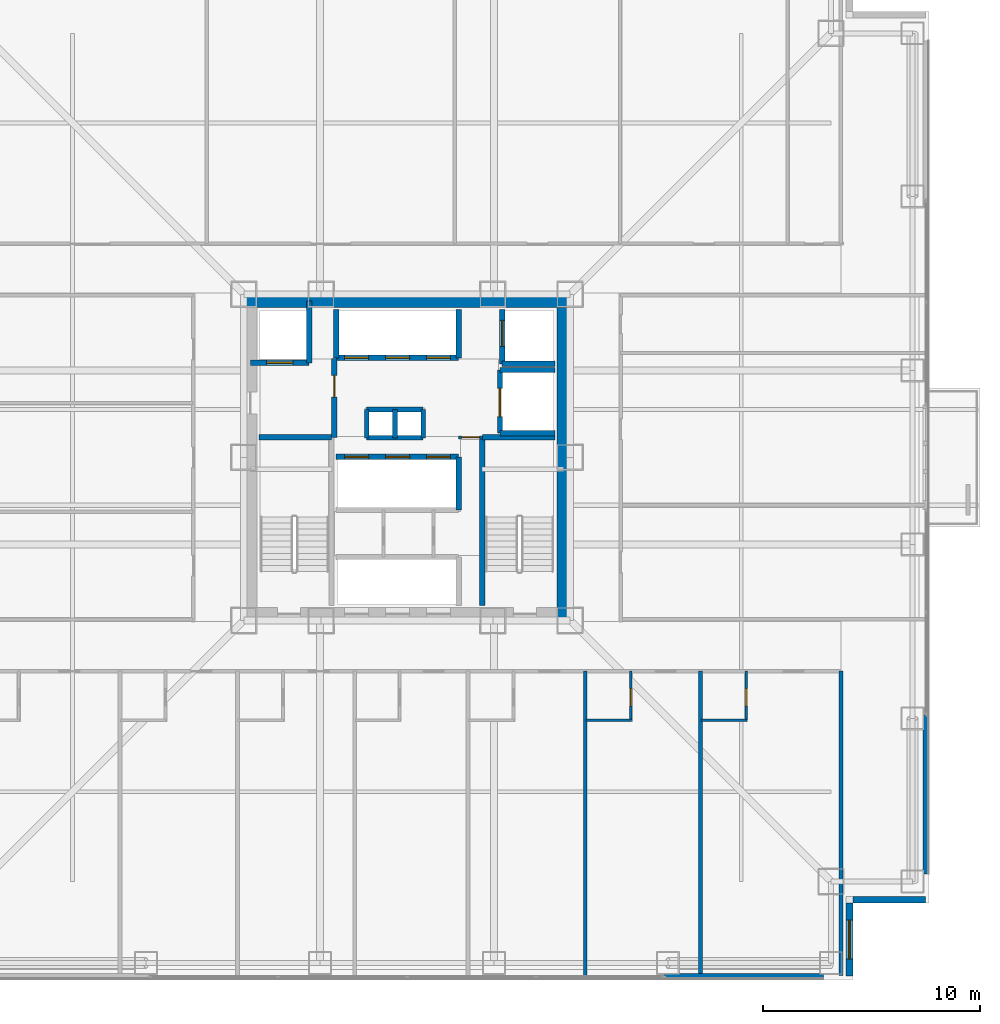
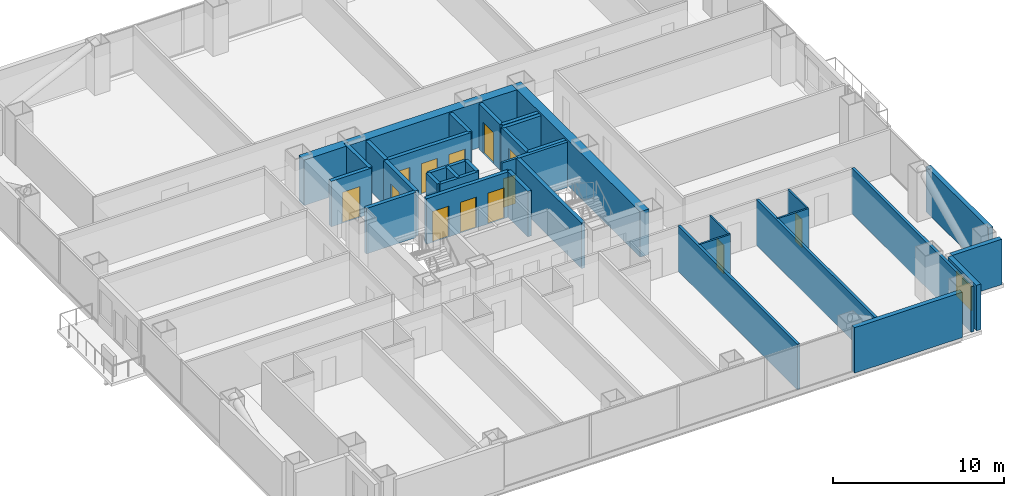
# One storey, part 16 of 20: 35 walls, 13 doors, 1 window, 14 openings.
"""IFC4 building model written with IfcOpenShell, lengths in metres."""

from ifc_helpers import new_model, si_unit, direction, frame, frame_2d, origin, place, context, subcontext, project, spatial, rectangle, extrude, material, layer, layer_set, type_object, element, fill, save


model = new_model("IFC4")

# Units and contexts
model_context = context("Model", 3, precision=1e-05, world=origin(), true_north=direction((0.0, 1.0)))
body_context = subcontext(model_context, "Body", "Model", "MODEL_VIEW")
ifc_project = project(units=[si_unit("LENGTHUNIT", "METRE"), si_unit("AREAUNIT", "SQUARE_METRE"), si_unit("VOLUMEUNIT", "CUBIC_METRE"), si_unit("PLANEANGLEUNIT", "RADIAN"), si_unit("MASSUNIT", "GRAM", prefix="KILO")], contexts=[model_context])

# Site, building, storey
site_placement = place(None, origin())
site = spatial("IfcSite", under=ifc_project, at=site_placement, CompositionType="ELEMENT")
building_placement = place(site_placement, origin())
building = spatial("IfcBuilding", under=site, at=building_placement, Name="Trevonay Congress Spire", CompositionType="ELEMENT")
storey_placement = place(building_placement, frame((0.0, 0.0, 76.0)))
storey = spatial("IfcBuildingStorey", under=building, at=storey_placement, Name="L19", CompositionType="ELEMENT", Elevation=76.0)

# Wall, opening, door
ifc_material_1 = material(Name="Concrete C40/50", Category="concrete")
ifc_layer_1 = layer(ifc_material_1, 0.1201171875, Name="Concrete C40/50")
ifc_layer_set_1 = layer_set([ifc_layer_1], Name="Concrete C40/50")
wall_type_1 = type_object("IfcWallType", Name="WAL-BATH-120", PredefinedType="PLUMBINGWALL", material=ifc_layer_set_1)
wall_1_placement = place(storey_placement, frame((10.300048828125, -12.080078125, 0.0), z_axis=(0.0, 0.0, 1.0), x_axis=(0.0, 1.0, 0.0)))
wall_1 = element("IfcWall", 1, at=wall_1_placement, inside=storey, type_object=wall_type_1, Name="L19 interior wall WH-L19S-BS6", PredefinedType="PLUMBINGWALL", context=body_context, shape_type="SweptSolid", body=[
    extrude(rectangle(XDim=2.25, YDim=0.1201171875, at=frame_2d((1.125, 0.0))), origin(), (0.0, 0.0, 1.0), 3.25),
])
opening_1_placement = place(wall_1_placement, frame((0.64990234375, 0.0, 0.0)))
opening_1 = element("IfcOpeningElement", 2, at=opening_1_placement, cuts=wall_1, Name="Opening D11", PredefinedType="OPENING", context=body_context, shape_type="SweptSolid", body=[
    extrude(rectangle(XDim=0.800048828125, YDim=2.050048828125, at=frame_2d((0.39990234375, 1.02490234375))), frame((0.0, 0.070068359375, 0.0), z_axis=(0.0, -1.0, 0.0), x_axis=(1.0, 0.0, 0.0)), (0.0, 0.0, 1.0), 0.14013671875),
])
ifc_material_2 = material(Name="Pale Anodised Aluminium EN AW-6063-T6", Category="aluminium")
door_type_1 = type_object("IfcDoorType", Name="DOR-BATH-80", OperationType="NOTDEFINED", PredefinedType="DOOR", material=ifc_material_2)
door_1_placement = place(opening_1_placement, origin())
door_1 = element("IfcDoor", 3, at=door_1_placement, inside=storey, type_object=door_type_1, Name="L19 En-suite Bathroom Door", OperationType="SINGLE_SWING_RIGHT", OverallHeight=2.050048828125, OverallWidth=0.800048828125, PredefinedType="DOOR", context=body_context, shape_type="SweptSolid", body=[
    extrude(rectangle(XDim=0.800048828125, YDim=2.050048828125, at=frame_2d((0.39990234375, 1.02490234375))), frame((0.0, 0.02490234375, 0.0), z_axis=(0.0, -1.0, 0.0), x_axis=(1.0, 0.0, 0.0)), (0.0, 0.0, 1.0), 0.050048828125),
])
fill(opening_1, door_1)

# Wall
wall_2_placement = place(storey_placement, frame((8.22998046875, -12.080078125, 0.0), z_axis=(0.0, 0.0, 1.0), x_axis=(1.0, 0.0, 0.0)))
element("IfcWall", 4, at=wall_2_placement, inside=storey, type_object=wall_type_1, Name="L19 interior wall WH-L19S-BF6", PredefinedType="PLUMBINGWALL", context=body_context, shape_type="SweptSolid", body=[
    extrude(rectangle(XDim=2.10009765625, YDim=0.1201171875, at=frame_2d((1.050048828125, 0.0))), origin(), (0.0, 0.0, 1.0), 3.25),
])

# Wall, opening, door
wall_3_placement = place(storey_placement, frame((15.60009765625, -12.080078125, 0.0), z_axis=(0.0, 0.0, 1.0), x_axis=(0.0, 1.0, 0.0)))
wall_3 = element("IfcWall", 5, at=wall_3_placement, inside=storey, type_object=wall_type_1, Name="L19 interior wall WH-L19S-BS7", PredefinedType="PLUMBINGWALL", context=body_context, shape_type="SweptSolid", body=[
    extrude(rectangle(XDim=2.25, YDim=0.1201171875, at=frame_2d((1.125, 0.0))), origin(), (0.0, 0.0, 1.0), 3.25),
])
opening_2_placement = place(wall_3_placement, frame((0.64990234375, 0.0, 0.0)))
opening_2 = element("IfcOpeningElement", 6, at=opening_2_placement, cuts=wall_3, Name="Opening D11", PredefinedType="OPENING", context=body_context, shape_type="SweptSolid", body=[
    extrude(rectangle(XDim=0.800048828125, YDim=2.050048828125, at=frame_2d((0.39990234375, 1.02490234375))), frame((0.0, 0.070068359375, 0.0), z_axis=(0.0, -1.0, 0.0), x_axis=(1.0, 0.0, 0.0)), (0.0, 0.0, 1.0), 0.14013671875),
])
door_2_placement = place(opening_2_placement, origin())
door_2 = element("IfcDoor", 7, at=door_2_placement, inside=storey, type_object=door_type_1, Name="L19 En-suite Bathroom Door", OperationType="SINGLE_SWING_LEFT", OverallHeight=2.050048828125, OverallWidth=0.800048828125, PredefinedType="DOOR", context=body_context, shape_type="SweptSolid", body=[
    extrude(rectangle(XDim=0.800048828125, YDim=2.050048828125, at=frame_2d((0.39990234375, 1.02490234375))), frame((0.0, 0.02490234375, 0.0), z_axis=(0.0, -1.0, 0.0), x_axis=(1.0, 0.0, 0.0)), (0.0, 0.0, 1.0), 0.050048828125),
])
fill(opening_2, door_2)

# Walls
wall_4_placement = place(storey_placement, frame((13.530029296875, -12.080078125, 0.0), z_axis=(0.0, 0.0, 1.0), x_axis=(1.0, 0.0, 0.0)))
element("IfcWall", 8, at=wall_4_placement, inside=storey, type_object=wall_type_1, Name="L19 interior wall WH-L19S-BF7", PredefinedType="PLUMBINGWALL", context=body_context, shape_type="SweptSolid", body=[
    extrude(rectangle(XDim=2.099853515625, YDim=0.1201171875, at=frame_2d((1.0498046875, 0.0))), origin(), (0.0, 0.0, 1.0), 3.25),
])
ifc_material_3 = material(Name="Concrete C60/75", Category="concrete")
ifc_layer_2 = layer(ifc_material_3, 0.60009765625, Name="Concrete C60/75")
ifc_layer_set_2 = layer_set([ifc_layer_2], Name="Concrete C60/75")
wall_type_2 = type_object("IfcWallType", Name="WAL-CORE-600", PredefinedType="SHEAR", material=ifc_layer_set_2)
for number, where, z_axis, x_axis, name in (
    (9, (-7.5, 7.199951171875, 0.0), (0.0, 0.0, 1.0), (1.0, 0.0, 0.0), "L19 North structural core shear wall"),
    (10, (7.199951171875, -7.5, 0.0), (0.0, 0.0, 1.0), (0.0, 1.0, 0.0), "L19 East structural core shear wall"),
):
    element("IfcWall", number, at=place(storey_placement, frame(where, z_axis=z_axis, x_axis=x_axis)), inside=storey, type_object=wall_type_2, Name=name, PredefinedType="SHEAR", context=body_context, shape_type="SweptSolid", body=[
        extrude(rectangle(XDim=15.0, YDim=0.60009765625, at=frame_2d((7.5, 0.0))), origin(), (0.0, 0.0, 1.0), 3.25),
    ])
ifc_material_4 = material(Name="Precast concrete C40/50", Category="concrete")
ifc_layer_3 = layer(ifc_material_4, 0.300048828125, Name="Precast concrete C40/50")
ifc_layer_set_3 = layer_set([ifc_layer_3], Name="Precast concrete C40/50")
wall_type_3 = type_object("IfcWallType", Name="WAL-EXT-PRECAST-300", PredefinedType="SOLIDWALL", material=ifc_layer_set_3)
for number, where, z_axis, x_axis, name in (
    (11, (11.85009765625, -23.8798828125, 0.0), (0.0, 0.0, 1.0), (1.0, 0.0, 0.0), "L19 SR braced-bay exterior pier wall"),
    (12, (23.8798828125, -19.14990234375, 0.0), (0.0, 0.0, 1.0), (0.0, 1.0, 0.0), "L19 EL braced-bay exterior pier wall"),
):
    element("IfcWall", number, at=place(storey_placement, frame(where, z_axis=z_axis, x_axis=x_axis)), inside=storey, type_object=wall_type_3, Name=name, PredefinedType="SOLIDWALL", context=body_context, shape_type="SweptSolid", body=[
        extrude(rectangle(XDim=7.2998046875, YDim=0.300048828125, at=frame_2d((3.64990234375, 0.0))), origin(), (0.0, 0.0, 1.0), 3.25),
    ])

# Wall, opening, window
wall_5_placement = place(storey_placement, frame((20.35009765625, -23.85009765625, 0.0), z_axis=(0.0, 0.0, 1.0), x_axis=(0.0, 1.0, 0.0)))
wall_5 = element("IfcWall", 13, at=wall_5_placement, inside=storey, type_object=wall_type_3, Name="L19 SE re-entrant notch exterior wall 1", PredefinedType="SOLIDWALL", context=body_context, shape_type="SweptSolid", body=[
    extrude(rectangle(XDim=3.35009765625, YDim=0.300048828125, at=frame_2d((1.675048828125, 0.0))), origin(), (0.0, 0.0, 1.0), 3.25),
])
opening_3_placement = place(wall_5_placement, frame((0.77490234375, 0.0, 0.89990234375)))
opening_3 = element("IfcOpeningElement", 14, at=opening_3_placement, cuts=wall_5, Name="Opening WN01", PredefinedType="OPENING", context=body_context, shape_type="SweptSolid", body=[
    extrude(rectangle(XDim=1.800048828125, YDim=1.800048828125, at=frame_2d((0.89990234375, 0.89990234375))), frame((0.0, 0.16015625, 0.0), z_axis=(0.0, -1.0, 0.0), x_axis=(1.0, 0.0, 0.0)), (0.0, 0.0, 1.0), 0.320068359375),
])
ifc_material_5 = material(Name="Insulated Low-E Vision Glass IGU", Category="glass")
window_type = type_object("IfcWindowType", Name="WIN-HOTEL-180X180", PartitioningType="SINGLE_PANEL", PredefinedType="WINDOW", material=ifc_material_5)
window_placement = place(opening_3_placement, origin())
window = element("IfcWindow", 15, at=window_placement, inside=storey, type_object=window_type, Name="L19 SE corner notch window", OverallHeight=1.800048828125, OverallWidth=1.800048828125, PartitioningType="SINGLE_PANEL", PredefinedType="WINDOW", context=body_context, shape_type="SweptSolid", body=[
    extrude(rectangle(XDim=1.800048828125, YDim=1.800048828125, at=frame_2d((0.89990234375, 0.89990234375))), frame((0.0, 0.030029296875, 0.0), z_axis=(0.0, -1.0, 0.0), x_axis=(1.0, 0.0, 0.0)), (0.0, 0.0, 1.0), 0.06005859375),
])
fill(opening_3, window)

# Walls
wall_6_placement = place(storey_placement, frame((23.85009765625, -20.35009765625, 0.0), z_axis=(0.0, 0.0, 1.0), x_axis=(-1.0, 0.0, 0.0)))
element("IfcWall", 16, at=wall_6_placement, inside=storey, type_object=wall_type_3, Name="L19 SE re-entrant notch exterior wall 2", PredefinedType="SOLIDWALL", context=body_context, shape_type="SweptSolid", body=[
    extrude(rectangle(XDim=3.35009765625, YDim=0.300048828125, at=frame_2d((1.675048828125, 0.0))), origin(), (0.0, 0.0, 1.0), 3.25),
])
ifc_layer_4 = layer(ifc_material_1, 0.179931640625, Name="Concrete C40/50")
ifc_layer_set_4 = layer_set([ifc_layer_4], Name="Concrete C40/50")
wall_type_4 = type_object("IfcWallType", Name="WAL-HOTEL-180", PredefinedType="PARTITIONING", material=ifc_layer_set_4)
for number, where, z_axis, x_axis, name in (
    (17, (8.199951171875, -23.820068359375, 0.0), (0.0, 0.0, 1.0), (0.0, 1.0, 0.0), "L19 interior wall WH-L19S-DIV6"),
    (18, (13.5, -23.820068359375, 0.0), (0.0, 0.0, 1.0), (0.0, 1.0, 0.0), "L19 interior wall WH-L19S-DIV7"),
    (19, (19.949951171875, -23.820068359375, 0.0), (0.0, 0.0, 1.0), (0.0, 1.0, 0.0), "L19 interior wall WH-L19S-DIV8"),
):
    element("IfcWall", number, at=place(storey_placement, frame(where, z_axis=z_axis, x_axis=x_axis)), inside=storey, type_object=wall_type_4, Name=name, PredefinedType="PARTITIONING", context=body_context, shape_type="SweptSolid", body=[
        extrude(rectangle(XDim=13.989990234375, YDim=0.179931640625, at=frame_2d((6.9951171875, 0.0))), origin(), (0.0, 0.0, 1.0), 3.25),
    ])

# Wall, opening, door
ifc_layer_5 = layer(ifc_material_1, 0.14990234375, Name="Concrete C40/50")
ifc_layer_set_5 = layer_set([ifc_layer_5], Name="Concrete C40/50")
wall_type_5 = type_object("IfcWallType", Name="WAL-PART-150", PredefinedType="PARTITIONING", material=ifc_layer_set_5)
wall_7_placement = place(storey_placement, frame((2.3798828125, 0.919921875, 0.0), z_axis=(0.0, 0.0, 1.0), x_axis=(1.0, 0.0, 0.0)))
wall_7 = element("IfcWall", 20, at=wall_7_placement, inside=storey, type_object=wall_type_5, Name="L19 interior wall CW-CSRV-N-L19", PredefinedType="PARTITIONING", context=body_context, shape_type="SweptSolid", body=[
    extrude(rectangle(XDim=1.090087890625, YDim=0.14990234375, at=frame_2d((0.544921875, 0.0))), origin(), (0.0, 0.0, 1.0), 3.25),
])
opening_4_placement = place(wall_7_placement, frame((0.135009765625, 0.0, 0.0)))
opening_4 = element("IfcOpeningElement", 21, at=opening_4_placement, cuts=wall_7, Name="Opening D13", PredefinedType="OPENING", context=body_context, shape_type="SweptSolid", body=[
    extrude(rectangle(XDim=0.820068359375, YDim=2.050048828125, at=frame_2d((0.41015625, 1.02490234375))), frame((0.0, 0.0849609375, 0.0), z_axis=(0.0, -1.0, 0.0), x_axis=(1.0, 0.0, 0.0)), (0.0, 0.0, 1.0), 0.169921875),
])
ifc_material_6 = material(Name="Steel ASTM A572 Grade 50", Category="steel")
door_type_2 = type_object("IfcDoorType", Name="DOR-UTIL-80", OperationType="NOTDEFINED", PredefinedType="DOOR", material=ifc_material_6)
door_3_placement = place(opening_4_placement, origin())
door_3 = element("IfcDoor", 22, at=door_3_placement, inside=storey, type_object=door_type_2, Name="L19 Core Service Pocket Door", OperationType="SINGLE_SWING_RIGHT", OverallHeight=2.050048828125, OverallWidth=0.820068359375, PredefinedType="DOOR", context=body_context, shape_type="SweptSolid", body=[
    extrude(rectangle(XDim=0.820068359375, YDim=2.050048828125, at=frame_2d((0.41015625, 1.02490234375))), frame((0.0, 0.02490234375, 0.0), z_axis=(0.0, -1.0, 0.0), x_axis=(1.0, 0.0, 0.0)), (0.0, 0.0, 1.0), 0.050048828125),
])
fill(opening_4, door_3)

# Walls
ifc_layer_6 = layer(ifc_material_1, 0.219970703125, Name="Concrete C40/50")
ifc_layer_set_6 = layer_set([ifc_layer_6], Name="Concrete C40/50")
wall_type_6 = type_object("IfcWallType", Name="WAL-SHAFT-220", PredefinedType="PARTITIONING", material=ifc_layer_set_6)
for number, where, z_axis, x_axis, name in (
    (23, (-1.85009765625, 2.199951171875, 0.0), (0.0, 0.0, 1.0), (1.0, 0.0, 0.0), "L19 interior shaft wall WSH-L19-RSR-N"),
    (24, (-1.85009765625, 0.89990234375, 0.0), (0.0, 0.0, 1.0), (1.0, 0.0, 0.0), "L19 interior shaft wall WSH-L19-RSR-S"),
):
    element("IfcWall", number, at=place(storey_placement, frame(where, z_axis=z_axis, x_axis=x_axis)), inside=storey, type_object=wall_type_6, Name=name, PredefinedType="PARTITIONING", context=body_context, shape_type="SweptSolid", body=[
        extrude(rectangle(XDim=2.60009765625, YDim=0.219970703125, at=frame_2d((1.300048828125, 0.0))), origin(), (0.0, 0.0, 1.0), 3.25),
    ])
for number, where, z_axis, x_axis, name in (
    (25, (-0.550048828125, 0.89990234375, 0.0), (0.0, 0.0, 1.0), (0.0, 1.0, 0.0), "L19 interior shaft wall WSH-L19-RSR-M"),
    (26, (0.75, 0.89990234375, 0.0), (0.0, 0.0, 1.0), (0.0, 1.0, 0.0), "L19 interior shaft wall WSH-L19-RSR-E"),
    (27, (-1.85009765625, 0.89990234375, 0.0), (0.0, 0.0, 1.0), (0.0, 1.0, 0.0), "L19 interior shaft wall WSH-L19-RSR-W"),
):
    element("IfcWall", number, at=place(storey_placement, frame(where, z_axis=z_axis, x_axis=x_axis)), inside=storey, type_object=wall_type_6, Name=name, PredefinedType="PARTITIONING", context=body_context, shape_type="SweptSolid", body=[
        extrude(rectangle(XDim=1.300048828125, YDim=0.219970703125, at=frame_2d((0.64990234375, 0.0))), origin(), (0.0, 0.0, 1.0), 3.25),
    ])

# Wall, openings, doors
ifc_layer_7 = layer(ifc_material_1, 0.25, Name="Concrete C40/50")
ifc_layer_set_7 = layer_set([ifc_layer_7], Name="Concrete C40/50")
wall_type_7 = type_object("IfcWallType", Name="WAL-SHAFT-250", PredefinedType="SHEAR", material=ifc_layer_set_7)
wall_8_placement = place(storey_placement, frame((-3.260009765625, 0.02001953125, 0.0), z_axis=(0.0, 0.0, 1.0), x_axis=(1.0, 0.0, 0.0)))
wall_8 = element("IfcWall", 28, at=wall_8_placement, inside=storey, type_object=wall_type_7, Name="L19 interior shaft wall WSH-L19-B2-N", PredefinedType="SHEAR", context=body_context, shape_type="SweptSolid", body=[
    extrude(rectangle(XDim=5.639892578125, YDim=0.25, at=frame_2d((2.81982421875, 0.0))), origin(), (0.0, 0.0, 1.0), 3.25),
])
opening_5_placement = place(wall_8_placement, frame((0.39990234375, 0.0, 0.0)))
opening_5 = element("IfcOpeningElement", 29, at=opening_5_placement, cuts=wall_8, Name="Opening LD02", PredefinedType="OPENING", context=body_context, shape_type="SweptSolid", body=[
    extrude(rectangle(XDim=1.10009765625, YDim=2.199951171875, at=frame_2d((0.550048828125, 1.10009765625))), frame((0.0, 0.135009765625, 0.0), z_axis=(0.0, -1.0, 0.0), x_axis=(1.0, 0.0, 0.0)), (0.0, 0.0, 1.0), 0.27001953125),
])
opening_6_placement = place(wall_8_placement, frame((2.280029296875, 0.0, 0.0)))
opening_6 = element("IfcOpeningElement", 30, at=opening_6_placement, cuts=wall_8, Name="Opening LD02", PredefinedType="OPENING", context=body_context, shape_type="SweptSolid", body=[
    extrude(rectangle(XDim=1.10009765625, YDim=2.199951171875, at=frame_2d((0.550048828125, 1.10009765625))), frame((0.0, 0.135009765625, 0.0), z_axis=(0.0, -1.0, 0.0), x_axis=(1.0, 0.0, 0.0)), (0.0, 0.0, 1.0), 0.27001953125),
])
opening_7_placement = place(wall_8_placement, frame((4.159912109375, 0.0, 0.0)))
opening_7 = element("IfcOpeningElement", 31, at=opening_7_placement, cuts=wall_8, Name="Opening LD02", PredefinedType="OPENING", context=body_context, shape_type="SweptSolid", body=[
    extrude(rectangle(XDim=1.10009765625, YDim=2.199951171875, at=frame_2d((0.550048828125, 1.10009765625))), frame((0.0, 0.135009765625, 0.0), z_axis=(0.0, -1.0, 0.0), x_axis=(1.0, 0.0, 0.0)), (0.0, 0.0, 1.0), 0.27001953125),
])
door_type_3 = type_object("IfcDoorType", Name="DOR-LIFT-LD02", OperationType="DOUBLE_DOOR_SLIDING", PredefinedType="DOOR", material=ifc_material_2)
door_4_placement = place(opening_5_placement, origin())
door_4 = element("IfcDoor", 32, at=door_4_placement, inside=storey, type_object=door_type_3, Name="L19 Passenger lift PL-04 landing door", OperationType="DOUBLE_DOOR_SLIDING", OverallHeight=2.199951171875, OverallWidth=1.10009765625, PredefinedType="DOOR", context=body_context, shape_type="SweptSolid", body=[
    extrude(rectangle(XDim=1.10009765625, YDim=2.199951171875, at=frame_2d((0.550048828125, 1.10009765625))), frame((0.0, 0.02490234375, 0.0), z_axis=(0.0, -1.0, 0.0), x_axis=(1.0, 0.0, 0.0)), (0.0, 0.0, 1.0), 0.050048828125),
])
fill(opening_5, door_4)
door_5_placement = place(opening_6_placement, origin())
door_5 = element("IfcDoor", 33, at=door_5_placement, inside=storey, type_object=door_type_3, Name="L19 Passenger lift PL-05 landing door", OperationType="DOUBLE_DOOR_SLIDING", OverallHeight=2.199951171875, OverallWidth=1.10009765625, PredefinedType="DOOR", context=body_context, shape_type="SweptSolid", body=[
    extrude(rectangle(XDim=1.10009765625, YDim=2.199951171875, at=frame_2d((0.550048828125, 1.10009765625))), frame((0.0, 0.02490234375, 0.0), z_axis=(0.0, -1.0, 0.0), x_axis=(1.0, 0.0, 0.0)), (0.0, 0.0, 1.0), 0.050048828125),
])
fill(opening_6, door_5)
door_6_placement = place(opening_7_placement, origin())
door_6 = element("IfcDoor", 34, at=door_6_placement, inside=storey, type_object=door_type_3, Name="L19 Passenger lift PL-06 landing door", OperationType="DOUBLE_DOOR_SLIDING", OverallHeight=2.199951171875, OverallWidth=1.10009765625, PredefinedType="DOOR", context=body_context, shape_type="SweptSolid", body=[
    extrude(rectangle(XDim=1.10009765625, YDim=2.199951171875, at=frame_2d((0.550048828125, 1.10009765625))), frame((0.0, 0.02490234375, 0.0), z_axis=(0.0, -1.0, 0.0), x_axis=(1.0, 0.0, 0.0)), (0.0, 0.0, 1.0), 0.050048828125),
])
fill(opening_7, door_6)

# Wall
wall_9_placement = place(storey_placement, frame((2.3798828125, -2.419921875, 0.0), z_axis=(0.0, 0.0, 1.0), x_axis=(0.0, 1.0, 0.0)))
element("IfcWall", 35, at=wall_9_placement, inside=storey, type_object=wall_type_7, Name="L19 interior shaft wall WSH-L19-B2-E", PredefinedType="SHEAR", context=body_context, shape_type="SweptSolid", body=[
    extrude(rectangle(XDim=2.43994140625, YDim=0.25, at=frame_2d((1.219970703125, 0.0))), origin(), (0.0, 0.0, 1.0), 3.25),
])

# Wall, openings, doors
wall_10_placement = place(storey_placement, frame((-3.260009765625, 4.580078125, 0.0), z_axis=(0.0, 0.0, 1.0), x_axis=(1.0, 0.0, 0.0)))
wall_10 = element("IfcWall", 36, at=wall_10_placement, inside=storey, type_object=wall_type_7, Name="L19 interior shaft wall WSH-L19-B3-S", PredefinedType="SHEAR", context=body_context, shape_type="SweptSolid", body=[
    extrude(rectangle(XDim=5.639892578125, YDim=0.25, at=frame_2d((2.81982421875, 0.0))), origin(), (0.0, 0.0, 1.0), 3.25),
])
opening_8_placement = place(wall_10_placement, frame((0.39990234375, 0.0, 0.0)))
opening_8 = element("IfcOpeningElement", 37, at=opening_8_placement, cuts=wall_10, Name="Opening LD03", PredefinedType="OPENING", context=body_context, shape_type="SweptSolid", body=[
    extrude(rectangle(XDim=1.10009765625, YDim=2.199951171875, at=frame_2d((0.550048828125, 1.10009765625))), frame((0.0, 0.135009765625, 0.0), z_axis=(0.0, -1.0, 0.0), x_axis=(1.0, 0.0, 0.0)), (0.0, 0.0, 1.0), 0.27001953125),
])
opening_9_placement = place(wall_10_placement, frame((2.280029296875, 0.0, 0.0)))
opening_9 = element("IfcOpeningElement", 38, at=opening_9_placement, cuts=wall_10, Name="Opening LD03", PredefinedType="OPENING", context=body_context, shape_type="SweptSolid", body=[
    extrude(rectangle(XDim=1.10009765625, YDim=2.199951171875, at=frame_2d((0.550048828125, 1.10009765625))), frame((0.0, 0.135009765625, 0.0), z_axis=(0.0, -1.0, 0.0), x_axis=(1.0, 0.0, 0.0)), (0.0, 0.0, 1.0), 0.27001953125),
])
opening_10_placement = place(wall_10_placement, frame((4.159912109375, 0.0, 0.0)))
opening_10 = element("IfcOpeningElement", 39, at=opening_10_placement, cuts=wall_10, Name="Opening LD03", PredefinedType="OPENING", context=body_context, shape_type="SweptSolid", body=[
    extrude(rectangle(XDim=1.10009765625, YDim=2.199951171875, at=frame_2d((0.550048828125, 1.10009765625))), frame((0.0, 0.135009765625, 0.0), z_axis=(0.0, -1.0, 0.0), x_axis=(1.0, 0.0, 0.0)), (0.0, 0.0, 1.0), 0.27001953125),
])
door_type_4 = type_object("IfcDoorType", Name="DOR-LIFT-LD03", OperationType="DOUBLE_DOOR_SLIDING", PredefinedType="DOOR", material=ifc_material_2)
door_7_placement = place(opening_8_placement, origin())
door_7 = element("IfcDoor", 40, at=door_7_placement, inside=storey, type_object=door_type_4, Name="L19 Passenger lift PL-07 landing door", OperationType="DOUBLE_DOOR_SLIDING", OverallHeight=2.199951171875, OverallWidth=1.10009765625, PredefinedType="DOOR", context=body_context, shape_type="SweptSolid", body=[
    extrude(rectangle(XDim=1.10009765625, YDim=2.199951171875, at=frame_2d((0.550048828125, 1.10009765625))), frame((0.0, 0.02490234375, 0.0), z_axis=(0.0, -1.0, 0.0), x_axis=(1.0, 0.0, 0.0)), (0.0, 0.0, 1.0), 0.050048828125),
])
fill(opening_8, door_7)
door_8_placement = place(opening_9_placement, origin())
door_8 = element("IfcDoor", 41, at=door_8_placement, inside=storey, type_object=door_type_4, Name="L19 Passenger lift PL-08 landing door", OperationType="DOUBLE_DOOR_SLIDING", OverallHeight=2.199951171875, OverallWidth=1.10009765625, PredefinedType="DOOR", context=body_context, shape_type="SweptSolid", body=[
    extrude(rectangle(XDim=1.10009765625, YDim=2.199951171875, at=frame_2d((0.550048828125, 1.10009765625))), frame((0.0, 0.02490234375, 0.0), z_axis=(0.0, -1.0, 0.0), x_axis=(1.0, 0.0, 0.0)), (0.0, 0.0, 1.0), 0.050048828125),
])
fill(opening_9, door_8)
door_9_placement = place(opening_10_placement, origin())
door_9 = element("IfcDoor", 42, at=door_9_placement, inside=storey, type_object=door_type_4, Name="L19 Passenger lift PL-09 landing door", OperationType="DOUBLE_DOOR_SLIDING", OverallHeight=2.199951171875, OverallWidth=1.10009765625, PredefinedType="DOOR", context=body_context, shape_type="SweptSolid", body=[
    extrude(rectangle(XDim=1.10009765625, YDim=2.199951171875, at=frame_2d((0.550048828125, 1.10009765625))), frame((0.0, 0.02490234375, 0.0), z_axis=(0.0, -1.0, 0.0), x_axis=(1.0, 0.0, 0.0)), (0.0, 0.0, 1.0), 0.050048828125),
])
fill(opening_10, door_9)

# Walls
for number, where, z_axis, x_axis, name in (
    (43, (-3.260009765625, 4.580078125, 0.0), (0.0, 0.0, 1.0), (0.0, 1.0, 0.0), "L19 interior shaft wall WSH-L19-B3-W"),
    (44, (2.3798828125, 4.580078125, 0.0), (0.0, 0.0, 1.0), (0.0, 1.0, 0.0), "L19 interior shaft wall WSH-L19-B3-E"),
):
    element("IfcWall", number, at=place(storey_placement, frame(where, z_axis=z_axis, x_axis=x_axis)), inside=storey, type_object=wall_type_7, Name=name, PredefinedType="SHEAR", context=body_context, shape_type="SweptSolid", body=[
        extrude(rectangle(XDim=2.219970703125, YDim=0.25, at=frame_2d((1.10986328125, 0.0))), origin(), (0.0, 0.0, 1.0), 3.25),
    ])

# Wall, opening, door
wall_11_placement = place(storey_placement, frame((-7.199951171875, 4.35009765625, 0.0), z_axis=(0.0, 0.0, 1.0), x_axis=(1.0, 0.0, 0.0)))
wall_11 = element("IfcWall", 45, at=wall_11_placement, inside=storey, type_object=wall_type_7, Name="L19 interior shaft wall WSH-L19-FF1-S", PredefinedType="SHEAR", context=body_context, shape_type="SweptSolid", body=[
    extrude(rectangle(XDim=2.699951171875, YDim=0.25, at=frame_2d((1.35009765625, 0.0))), origin(), (0.0, 0.0, 1.0), 3.25),
])
opening_11_placement = place(wall_11_placement, frame((0.75, 0.0, 0.0)))
opening_11 = element("IfcOpeningElement", 46, at=opening_11_placement, cuts=wall_11, Name="Opening LD04", PredefinedType="OPENING", context=body_context, shape_type="SweptSolid", body=[
    extrude(rectangle(XDim=1.199951171875, YDim=2.199951171875, at=frame_2d((0.60009765625, 1.10009765625))), frame((0.0, 0.135009765625, 0.0), z_axis=(0.0, -1.0, 0.0), x_axis=(1.0, 0.0, 0.0)), (0.0, 0.0, 1.0), 0.27001953125),
])
door_type_5 = type_object("IfcDoorType", Name="DOR-LIFT-LD04", OperationType="DOUBLE_DOOR_SLIDING", PredefinedType="DOOR", material=ifc_material_6)
door_10_placement = place(opening_11_placement, origin())
door_10 = element("IfcDoor", 47, at=door_10_placement, inside=storey, type_object=door_type_5, Name="L19 Firefighting lift FFL-01 landing door", OperationType="DOUBLE_DOOR_SLIDING", OverallHeight=2.199951171875, OverallWidth=1.199951171875, PredefinedType="DOOR", context=body_context, shape_type="SweptSolid", body=[
    extrude(rectangle(XDim=1.199951171875, YDim=2.199951171875, at=frame_2d((0.60009765625, 1.10009765625))), frame((0.0, 0.02490234375, 0.0), z_axis=(0.0, -1.0, 0.0), x_axis=(1.0, 0.0, 0.0)), (0.0, 0.0, 1.0), 0.050048828125),
])
fill(opening_11, door_10)

# Walls
wall_12_placement = place(storey_placement, frame((-4.5, 4.35009765625, 0.0), z_axis=(0.0, 0.0, 1.0), x_axis=(0.0, 1.0, 0.0)))
element("IfcWall", 48, at=wall_12_placement, inside=storey, type_object=wall_type_7, Name="L19 interior shaft wall WSH-L19-FF1-E", PredefinedType="SHEAR", context=body_context, shape_type="SweptSolid", body=[
    extrude(rectangle(XDim=2.849853515625, YDim=0.25, at=frame_2d((1.4248046875, 0.0))), origin(), (0.0, 0.0, 1.0), 3.25),
])
wall_13_placement = place(storey_placement, frame((4.3798828125, 4.300048828125, 0.0), z_axis=(0.0, 0.0, 1.0), x_axis=(1.0, 0.0, 0.0)))
element("IfcWall", 49, at=wall_13_placement, inside=storey, type_object=wall_type_7, Name="L19 interior shaft wall WSH-L19-FF2-S", PredefinedType="SHEAR", context=body_context, shape_type="SweptSolid", body=[
    extrude(rectangle(XDim=2.420166015625, YDim=0.25, at=frame_2d((1.2099609375, 0.0))), origin(), (0.0, 0.0, 1.0), 3.25),
])

# Wall, opening, door
wall_14_placement = place(storey_placement, frame((4.3798828125, 4.300048828125, 0.0), z_axis=(0.0, 0.0, 1.0), x_axis=(0.0, 1.0, 0.0)))
wall_14 = element("IfcWall", 50, at=wall_14_placement, inside=storey, type_object=wall_type_7, Name="L19 interior shaft wall WSH-L19-FF2-W", PredefinedType="SHEAR", context=body_context, shape_type="SweptSolid", body=[
    extrude(rectangle(XDim=2.5, YDim=0.25, at=frame_2d((1.25, 0.0))), origin(), (0.0, 0.0, 1.0), 3.25),
])
opening_12_placement = place(wall_14_placement, frame((0.800048828125, 0.0, 0.0)))
opening_12 = element("IfcOpeningElement", 51, at=opening_12_placement, cuts=wall_14, Name="Opening LD04", PredefinedType="OPENING", context=body_context, shape_type="SweptSolid", body=[
    extrude(rectangle(XDim=1.199951171875, YDim=2.199951171875, at=frame_2d((0.60009765625, 1.10009765625))), frame((0.0, 0.135009765625, 0.0), z_axis=(0.0, -1.0, 0.0), x_axis=(1.0, 0.0, 0.0)), (0.0, 0.0, 1.0), 0.27001953125),
])
door_11_placement = place(opening_12_placement, origin())
door_11 = element("IfcDoor", 52, at=door_11_placement, inside=storey, type_object=door_type_5, Name="L19 Firefighting lift FFL-02 landing door", OperationType="DOUBLE_DOOR_SLIDING", OverallHeight=2.199951171875, OverallWidth=1.199951171875, PredefinedType="DOOR", context=body_context, shape_type="SweptSolid", body=[
    extrude(rectangle(XDim=1.199951171875, YDim=2.199951171875, at=frame_2d((0.60009765625, 1.10009765625))), frame((0.0, 0.02490234375, 0.0), z_axis=(0.0, -1.0, 0.0), x_axis=(1.0, 0.0, 0.0)), (0.0, 0.0, 1.0), 0.050048828125),
])
fill(opening_12, door_11)

wall_15_placement = place(storey_placement, frame((4.280029296875, 1.1201171875, 0.0), z_axis=(0.0, 0.0, 1.0), x_axis=(0.0, 1.0, 0.0)))
wall_15 = element("IfcWall", 53, at=wall_15_placement, inside=storey, type_object=wall_type_7, Name="L19 interior shaft wall WSH-L19-SV-W", PredefinedType="SHEAR", context=body_context, shape_type="SweptSolid", body=[
    extrude(rectangle(XDim=2.89990234375, YDim=0.25, at=frame_2d((1.449951171875, 0.0))), origin(), (0.0, 0.0, 1.0), 3.25),
])
opening_13_placement = place(wall_15_placement, frame((0.75, 0.0, 0.0)))
opening_13 = element("IfcOpeningElement", 54, at=opening_13_placement, cuts=wall_15, Name="Opening LD05", PredefinedType="OPENING", context=body_context, shape_type="SweptSolid", body=[
    extrude(rectangle(XDim=1.300048828125, YDim=2.300048828125, at=frame_2d((0.64990234375, 1.14990234375))), frame((0.0, 0.135009765625, 0.0), z_axis=(0.0, -1.0, 0.0), x_axis=(1.0, 0.0, 0.0)), (0.0, 0.0, 1.0), 0.27001953125),
])
door_type_6 = type_object("IfcDoorType", Name="DOR-LIFT-LD05", OperationType="DOUBLE_DOOR_SLIDING", PredefinedType="DOOR", material=ifc_material_6)
door_12_placement = place(opening_13_placement, origin())
door_12 = element("IfcDoor", 55, at=door_12_placement, inside=storey, type_object=door_type_6, Name="L19 Goods lift SVL-01 landing door", OperationType="DOUBLE_DOOR_SLIDING", OverallHeight=2.300048828125, OverallWidth=1.300048828125, PredefinedType="DOOR", context=body_context, shape_type="SweptSolid", body=[
    extrude(rectangle(XDim=1.300048828125, YDim=2.300048828125, at=frame_2d((0.64990234375, 1.14990234375))), frame((0.0, 0.02490234375, 0.0), z_axis=(0.0, -1.0, 0.0), x_axis=(1.0, 0.0, 0.0)), (0.0, 0.0, 1.0), 0.050048828125),
])
fill(opening_13, door_12)

# Walls
for number, where, z_axis, x_axis, name in (
    (56, (4.280029296875, 1.1201171875, 0.0), (0.0, 0.0, 1.0), (1.0, 0.0, 0.0), "L19 interior shaft wall WSH-L19-SV-S"),
    (57, (4.280029296875, 4.02001953125, 0.0), (0.0, 0.0, 1.0), (1.0, 0.0, 0.0), "L19 interior shaft wall WSH-L19-SV-N"),
):
    element("IfcWall", number, at=place(storey_placement, frame(where, z_axis=z_axis, x_axis=x_axis)), inside=storey, type_object=wall_type_7, Name=name, PredefinedType="SHEAR", context=body_context, shape_type="SweptSolid", body=[
        extrude(rectangle(XDim=2.52001953125, YDim=0.25, at=frame_2d((1.260009765625, 0.0))), origin(), (0.0, 0.0, 1.0), 3.25),
    ])

# Wall, opening, door
wall_16_placement = place(storey_placement, frame((-3.35009765625, 0.919921875, 0.0), z_axis=(0.0, 0.0, 1.0), x_axis=(0.0, 1.0, 0.0)))
wall_16 = element("IfcWall", 58, at=wall_16_placement, inside=storey, type_object=wall_type_7, Name="L19 interior wall CW-FFLW-E-L19", PredefinedType="SHEAR", context=body_context, shape_type="SweptSolid", body=[
    extrude(rectangle(XDim=3.6201171875, YDim=0.25, at=frame_2d((1.81005859375, 0.0))), origin(), (0.0, 0.0, 1.0), 3.25),
])
opening_14_placement = place(wall_16_placement, frame((1.85009765625, 0.0, 0.0)))
opening_14 = element("IfcOpeningElement", 59, at=opening_14_placement, cuts=wall_16, Name="Opening D06", PredefinedType="OPENING", context=body_context, shape_type="SweptSolid", body=[
    extrude(rectangle(XDim=1.0, YDim=2.080078125, at=frame_2d((0.5, 1.0400390625))), frame((0.0, 0.135009765625, 0.0), z_axis=(0.0, -1.0, 0.0), x_axis=(1.0, 0.0, 0.0)), (0.0, 0.0, 1.0), 0.27001953125),
])
door_type_7 = type_object("IfcDoorType", Name="DOR-FIRE-100", OperationType="NOTDEFINED", PredefinedType="DOOR", material=ifc_material_6)
door_13_placement = place(opening_14_placement, origin())
door_13 = element("IfcDoor", 60, at=door_13_placement, inside=storey, type_object=door_type_7, Name="L19 Firefighting Core Lobby Transfer Door", OperationType="SINGLE_SWING_LEFT", OverallHeight=2.080078125, OverallWidth=1.0, PredefinedType="DOOR", context=body_context, shape_type="SweptSolid", body=[
    extrude(rectangle(XDim=1.0, YDim=2.080078125, at=frame_2d((0.5, 1.0400390625))), frame((0.0, 0.02490234375, 0.0), z_axis=(0.0, -1.0, 0.0), x_axis=(1.0, 0.0, 0.0)), (0.0, 0.0, 1.0), 0.050048828125),
])
fill(opening_14, door_13)

# Walls
ifc_layer_8 = layer(ifc_material_1, 0.25, Name="Concrete C40/50")
ifc_layer_set_8 = layer_set([ifc_layer_8], Name="Concrete C40/50")
wall_type_8 = type_object("IfcWallType", Name="WAL-SHAFT-LB-250", PredefinedType="SHEAR", material=ifc_layer_set_8)
wall_17_placement = place(storey_placement, frame((-6.800048828125, 0.919921875, 0.0), z_axis=(0.0, 0.0, 1.0), x_axis=(1.0, 0.0, 0.0)))
element("IfcWall", 61, at=wall_17_placement, inside=storey, type_object=wall_type_8, Name="L19 interior shaft wall WSH-L19-ST1-N", PredefinedType="SHEAR", context=body_context, shape_type="SweptSolid", body=[
    extrude(rectangle(XDim=3.330078125, YDim=0.25, at=frame_2d((1.6650390625, 0.0))), origin(), (0.0, 0.0, 1.0), 3.25),
])
wall_18_placement = place(storey_placement, frame((3.469970703125, -6.800048828125, 0.0), z_axis=(0.0, 0.0, 1.0), x_axis=(0.0, 1.0, 0.0)))
element("IfcWall", 62, at=wall_18_placement, inside=storey, type_object=wall_type_8, Name="L19 interior shaft wall WSH-L19-ST2-W", PredefinedType="SHEAR", context=body_context, shape_type="SweptSolid", body=[
    extrude(rectangle(XDim=7.719970703125, YDim=0.25, at=frame_2d((3.85986328125, 0.0))), origin(), (0.0, 0.0, 1.0), 3.25),
])
wall_19_placement = place(storey_placement, frame((3.469970703125, 0.919921875, 0.0), z_axis=(0.0, 0.0, 1.0), x_axis=(1.0, 0.0, 0.0)))
element("IfcWall", 63, at=wall_19_placement, inside=storey, type_object=wall_type_8, Name="L19 interior shaft wall WSH-L19-ST2-N", PredefinedType="SHEAR", context=body_context, shape_type="SweptSolid", body=[
    extrude(rectangle(XDim=3.330078125, YDim=0.25, at=frame_2d((1.6650390625, 0.0))), origin(), (0.0, 0.0, 1.0), 3.25),
])

save(model, "model.ifc")
